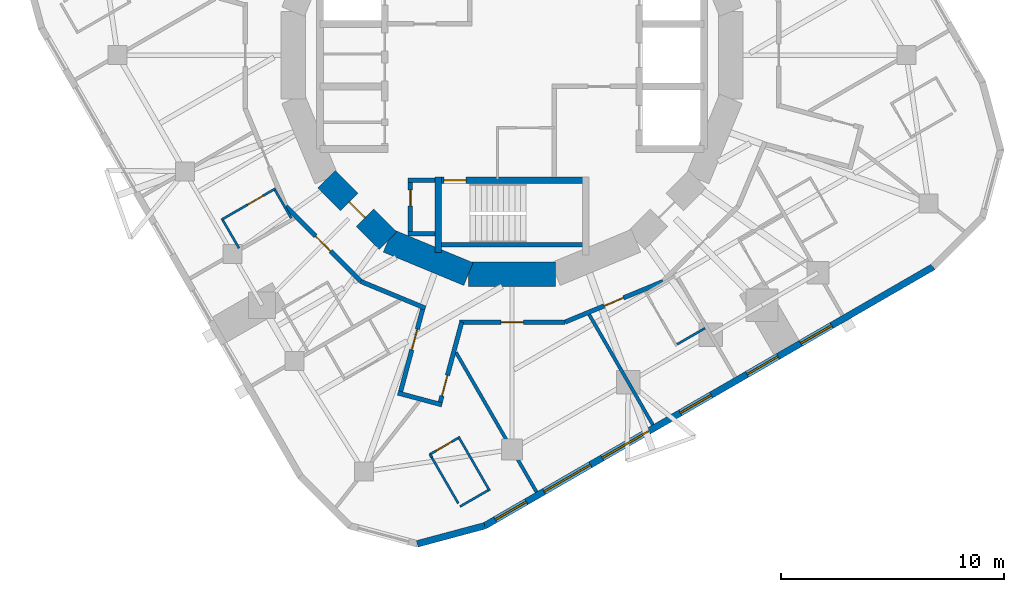
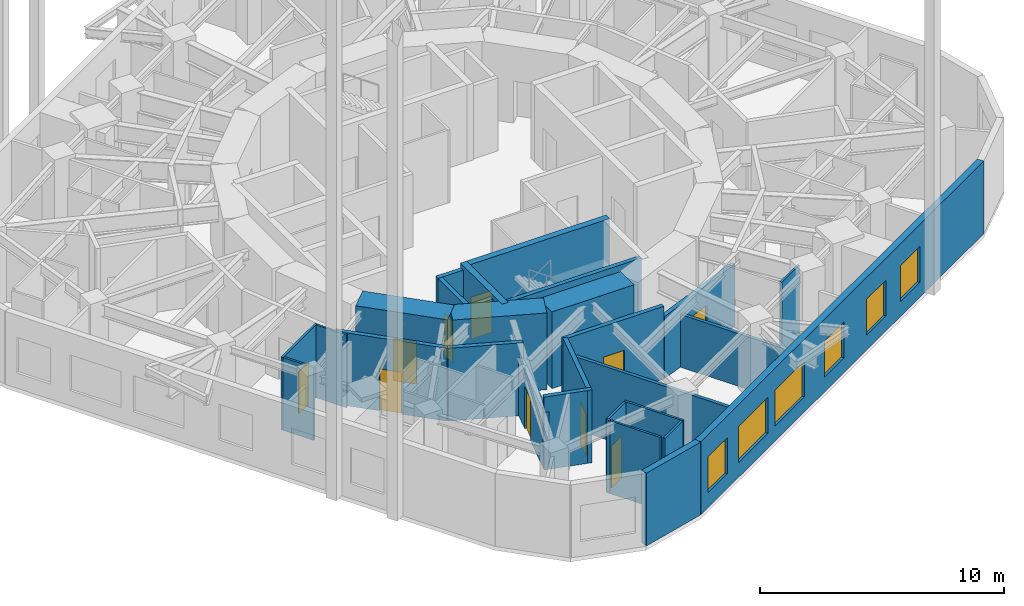
# One storey, part 4 of 10: 29 walls, 10 doors, 6 windows, 16 openings.
"""IFC4 building model written with IfcOpenShell, lengths in metres."""

from ifc_helpers import new_model, si_unit, direction, frame, frame_2d, origin, place, context, subcontext, project, spatial, rectangle, extrude, material, layer, layer_set, type_object, element, fill, save


model = new_model("IFC4")

# Units and contexts
model_context = context("Model", 3, precision=1e-05, world=origin(), true_north=direction((0.0, 1.0)))
body_context = subcontext(model_context, "Body", "Model", "MODEL_VIEW")
ifc_project = project(units=[si_unit("LENGTHUNIT", "METRE"), si_unit("AREAUNIT", "SQUARE_METRE"), si_unit("VOLUMEUNIT", "CUBIC_METRE"), si_unit("PLANEANGLEUNIT", "RADIAN"), si_unit("MASSUNIT", "GRAM", prefix="KILO")], contexts=[model_context])

# Site, building, storey
site_placement = place(None, origin())
site = spatial("IfcSite", under=ifc_project, at=site_placement, CompositionType="ELEMENT")
building_placement = place(site_placement, origin())
building = spatial("IfcBuilding", under=site, at=building_placement, Name="Nakasero Lantern House", CompositionType="ELEMENT")
storey_placement = place(building_placement, frame((0.0, 0.0, 223.10009765625)))
storey = spatial("IfcBuildingStorey", under=building, at=storey_placement, Name="L54", CompositionType="ELEMENT", Elevation=223.10009765625)

# Wall, opening, door
ifc_material_1 = material(Name="Concrete C50/60", Category="concrete")
ifc_layer_1 = layer(ifc_material_1, 0.300048828125)
ifc_layer_set_1 = layer_set([ifc_layer_1], Name="Core inner wall 300")
wall_type_1 = type_object("IfcWallType", Name="Core inner wall 300", PredefinedType="SHEAR", material=ifc_layer_set_1)
wall_1_placement = place(storey_placement, frame((-3.449951171875, -5.60009765625, 0.0), z_axis=(0.0, 0.0, 1.0), x_axis=(1.0, 0.0, 0.0)))
wall_1 = element("IfcWall", 1, at=wall_1_placement, inside=storey, type_object=wall_type_1, Name="Core inner wall L54 SS", PredefinedType="SHEAR", context=body_context, shape_type="SweptSolid", body=[
    extrude(rectangle(XDim=6.89990234375, YDim=0.300048828125, at=frame_2d((3.449951171875, 0.0))), origin(), (0.0, 0.0, 1.0), 3.849853515625),
])
opening_1_placement = place(wall_1_placement, frame((0.39990234375, 0.0, 0.0)))
opening_1 = element("IfcOpeningElement", 2, at=opening_1_placement, cuts=wall_1, Name="Opening D05", PredefinedType="OPENING", context=body_context, shape_type="SweptSolid", body=[
    extrude(rectangle(XDim=1.0, YDim=2.10009765625, at=frame_2d((0.5, 1.050048828125))), frame((0.0, 0.169921875, 0.0), z_axis=(0.0, -1.0, 0.0), x_axis=(1.0, 0.0, 0.0)), (0.0, 0.0, 1.0), 0.340087890625),
])
ifc_material_2 = material(Name="Timber C24", Category="wood")
door_type_1 = type_object("IfcDoorType", Name="Core door FD60S 1000", OperationType="SINGLE_SWING_LEFT", PredefinedType="DOOR", material=ifc_material_2)
door_1_placement = place(opening_1_placement, origin())
door_1 = element("IfcDoor", 3, at=door_1_placement, inside=storey, type_object=door_type_1, Name="Door L54 D-ST2", OperationType="SINGLE_SWING_LEFT", OverallHeight=2.10009765625, OverallWidth=1.0, PredefinedType="DOOR", context=body_context, shape_type="SweptSolid", body=[
    extrude(rectangle(XDim=1.0, YDim=2.10009765625, at=frame_2d((0.5, 1.050048828125))), frame((0.0, 0.02490234375, 0.0), z_axis=(0.0, -1.0, 0.0), x_axis=(1.0, 0.0, 0.0)), (0.0, 0.0, 1.0), 0.050048828125),
])
fill(opening_1, door_1)

# Wall
wall_2_placement = place(storey_placement, frame((-3.300048828125, -5.449951171875, 0.0), z_axis=(0.0, 0.0, 1.0), x_axis=(0.0, -1.0, 0.0)))
element("IfcWall", 4, at=wall_2_placement, inside=storey, type_object=wall_type_1, Name="Core inner wall L54 SSW", PredefinedType="SHEAR", context=body_context, shape_type="SweptSolid", body=[
    extrude(rectangle(XDim=3.400146484375, YDim=0.300048828125, at=frame_2d((1.7001953125, 0.0))), origin(), (0.0, 0.0, 1.0), 3.849853515625),
])

# Wall, opening, door
ifc_material_3 = material(Name="Concrete C50/60", Category="concrete")
ifc_layer_2 = layer(ifc_material_3, 1.10009765625)
ifc_layer_set_2 = layer_set([ifc_layer_2], Name="Core wall 1100")
wall_type_2 = type_object("IfcWallType", Name="Core wall 1100", PredefinedType="SHEAR", material=ifc_layer_set_2)
wall_3_placement = place(storey_placement, frame((-8.314697265625, -5.5556640625, 0.0), z_axis=(0.0, 0.0, 1.0), x_axis=(0.707106781187, -0.707106781187, 0.0)))
wall_3 = element("IfcWall", 5, at=wall_3_placement, inside=storey, type_object=wall_type_2, Name="Core wall L54 facet 10", PredefinedType="SHEAR", context=body_context, shape_type="SweptSolid", body=[
    extrude(rectangle(XDim=3.90185546875, YDim=1.10009765625, at=frame_2d((1.950927734375, 0.0))), origin(), (0.0, 0.0, 1.0), 3.849853515625),
])
opening_2_placement = place(wall_3_placement, frame((1.450927734375, 0.0, 0.0)))
opening_2 = element("IfcOpeningElement", 6, at=opening_2_placement, cuts=wall_3, Name="Opening D05", PredefinedType="OPENING", context=body_context, shape_type="SweptSolid", body=[
    extrude(rectangle(XDim=1.0, YDim=2.10009765625, at=frame_2d((0.5, 1.050048828125))), frame((0.0, 0.570068359375, 0.0), z_axis=(0.0, -1.0, 0.0), x_axis=(1.0, 0.0, 0.0)), (0.0, 0.0, 1.0), 1.14013671875),
])
door_2_placement = place(opening_2_placement, origin())
door_2 = element("IfcDoor", 7, at=door_2_placement, inside=storey, type_object=door_type_1, Name="Door L54 D-CORE10", OperationType="SINGLE_SWING_LEFT", OverallHeight=2.10009765625, OverallWidth=1.0, PredefinedType="DOOR", context=body_context, shape_type="SweptSolid", body=[
    extrude(rectangle(XDim=1.0, YDim=2.10009765625, at=frame_2d((0.5, 1.050048828125))), frame((0.0, 0.02490234375, 0.0), z_axis=(0.0, -1.0, 0.0), x_axis=(1.0, 0.0, 0.0)), (0.0, 0.0, 1.0), 0.050048828125),
])
fill(opening_2, door_2)

# Walls
for number, where, z_axis, x_axis, name in (
    (8, (-5.5556640625, -8.314697265625, 0.0), (0.0, 0.0, 1.0), (0.923876507187, -0.382690736062, 0.0), "Core wall L54 facet 11"),
    (9, (-1.950927734375, -9.807861328125, 0.0), (0.0, 0.0, 1.0), (1.0, 0.0, 0.0), "Core wall L54 facet 12"),
):
    element("IfcWall", number, at=place(storey_placement, frame(where, z_axis=z_axis, x_axis=x_axis)), inside=storey, type_object=wall_type_2, Name=name, PredefinedType="SHEAR", context=body_context, shape_type="SweptSolid", body=[
        extrude(rectangle(XDim=3.90185546875, YDim=1.10009765625, at=frame_2d((1.950927734375, 0.0))), origin(), (0.0, 0.0, 1.0), 3.849853515625),
    ])

# Wall, opening, door
ifc_material_4 = material(Name="Blockwork", Category="masonry")
ifc_layer_3 = layer(ifc_material_4, 0.199951171875)
ifc_layer_set_3 = layer_set([ifc_layer_3], Name="Corridor wall 200")
wall_type_3 = type_object("IfcWallType", Name="Corridor wall 200", PredefinedType="PARTITIONING", material=ifc_layer_set_3)
wall_4_placement = place(storey_placement, frame((6.773681640625, -10.137451171875, 0.0), z_axis=(0.0, 0.0, 1.0), x_axis=(-0.923891735412, -0.382653970627, 0.0)))
wall_4 = element("IfcWall", 10, at=wall_4_placement, inside=storey, type_object=wall_type_3, Name="Corridor wall L54 RC03a", PredefinedType="PARTITIONING", context=body_context, shape_type="SweptSolid", body=[
    extrude(rectangle(XDim=4.757080078125, YDim=0.199951171875, at=frame_2d((2.37841796875, 0.0))), origin(), (0.0, 0.0, 1.0), 3.11328125),
])
opening_3_placement = place(wall_4_placement, frame((1.919921875, 0.0, 0.0)))
opening_3 = element("IfcOpeningElement", 11, at=opening_3_placement, cuts=wall_4, Name="Opening D01", PredefinedType="OPENING", context=body_context, shape_type="SweptSolid", body=[
    extrude(rectangle(XDim=0.949951171875, YDim=2.10009765625, at=frame_2d((0.47509765625, 1.050048828125))), frame((0.0, 0.119873046875, 0.0), z_axis=(0.0, -1.0, 0.0), x_axis=(1.0, 0.0, 0.0)), (0.0, 0.0, 1.0), 0.239990234375),
])
ifc_material_5 = material(Name="Timber C24", Category="wood")
door_type_2 = type_object("IfcDoorType", Name="Bedroom door FD30S 950", OperationType="SINGLE_SWING_LEFT", PredefinedType="DOOR", material=ifc_material_5)
door_3_placement = place(opening_3_placement, origin())
door_3 = element("IfcDoor", 12, at=door_3_placement, inside=storey, type_object=door_type_2, Name="Door L54 D3-03", OperationType="SINGLE_SWING_RIGHT", OverallHeight=2.10009765625, OverallWidth=0.949951171875, PredefinedType="DOOR", context=body_context, shape_type="SweptSolid", body=[
    extrude(rectangle(XDim=0.949951171875, YDim=2.10009765625, at=frame_2d((0.47509765625, 1.050048828125))), frame((0.0, 0.02490234375, 0.0), z_axis=(0.0, -1.0, 0.0), x_axis=(1.0, 0.0, 0.0)), (0.0, 0.0, 1.0), 0.050048828125),
])
fill(opening_3, door_3)

wall_5_placement = place(storey_placement, frame((2.378662109375, -11.957763671875, 0.0), z_axis=(0.0, 0.0, 1.0), x_axis=(-1.0, 0.0, 0.0)))
wall_5 = element("IfcWall", 13, at=wall_5_placement, inside=storey, type_object=wall_type_3, Name="Corridor wall L54 RC04a", PredefinedType="PARTITIONING", context=body_context, shape_type="SweptSolid", body=[
    extrude(rectangle(XDim=4.73388671875, YDim=0.199951171875, at=frame_2d((2.366943359375, 0.0))), origin(), (0.0, 0.0, 1.0), 3.64990234375),
])
opening_4_placement = place(wall_5_placement, frame((1.8701171875, 0.0, 0.0)))
opening_4 = element("IfcOpeningElement", 14, at=opening_4_placement, cuts=wall_5, Name="Opening D03", PredefinedType="OPENING", context=body_context, shape_type="SweptSolid", body=[
    extrude(rectangle(XDim=1.0, YDim=2.10009765625, at=frame_2d((0.5, 1.050048828125))), frame((0.0, 0.119873046875, 0.0), z_axis=(0.0, -1.0, 0.0), x_axis=(1.0, 0.0, 0.0)), (0.0, 0.0, 1.0), 0.239990234375),
])
ifc_material_6 = material(Name="Timber C24", Category="wood")
door_type_3 = type_object("IfcDoorType", Name="Lounge door FD30S 1000", OperationType="SINGLE_SWING_LEFT", PredefinedType="DOOR", material=ifc_material_6)
door_4_placement = place(opening_4_placement, origin())
door_4 = element("IfcDoor", 15, at=door_4_placement, inside=storey, type_object=door_type_3, Name="Door L54 DK3", OperationType="SINGLE_SWING_RIGHT", OverallHeight=2.10009765625, OverallWidth=1.0, PredefinedType="DOOR", context=body_context, shape_type="SweptSolid", body=[
    extrude(rectangle(XDim=1.0, YDim=2.10009765625, at=frame_2d((0.5, 1.050048828125))), frame((0.0, 0.02490234375, 0.0), z_axis=(0.0, -1.0, 0.0), x_axis=(1.0, 0.0, 0.0)), (0.0, 0.0, 1.0), 0.050048828125),
])
fill(opening_4, door_4)

# Wall
wall_6_placement = place(storey_placement, frame((-3.8857421875, -11.33349609375, 0.0), z_axis=(0.0, 0.0, 1.0), x_axis=(-0.923899751118, 0.382634616682, 0.0)))
element("IfcWall", 16, at=wall_6_placement, inside=storey, type_object=wall_type_3, Name="Corridor wall L54 RC05a", PredefinedType="PARTITIONING", context=body_context, shape_type="SweptSolid", body=[
    extrude(rectangle(XDim=3.125732421875, YDim=0.199951171875, at=frame_2d((1.56298828125, 0.0))), origin(), (0.0, 0.0, 1.0), 3.64990234375),
])

# Wall, opening, door
wall_7_placement = place(storey_placement, frame((-6.773681640625, -10.137451171875, 0.0), z_axis=(0.0, 0.0, 1.0), x_axis=(-0.707106781187, 0.707106781187, 0.0)))
wall_7 = element("IfcWall", 17, at=wall_7_placement, inside=storey, type_object=wall_type_3, Name="Corridor wall L54 RC06a", PredefinedType="PARTITIONING", context=body_context, shape_type="SweptSolid", body=[
    extrude(rectangle(XDim=4.757080078125, YDim=0.199951171875, at=frame_2d((2.37841796875, 0.0))), origin(), (0.0, 0.0, 1.0), 3.64990234375),
])
opening_5_placement = place(wall_7_placement, frame((1.919921875, 0.0, 0.0)))
opening_5 = element("IfcOpeningElement", 18, at=opening_5_placement, cuts=wall_7, Name="Opening D01", PredefinedType="OPENING", context=body_context, shape_type="SweptSolid", body=[
    extrude(rectangle(XDim=0.949951171875, YDim=2.10009765625, at=frame_2d((0.47509765625, 1.050048828125))), frame((0.0, 0.119873046875, 0.0), z_axis=(0.0, -1.0, 0.0), x_axis=(1.0, 0.0, 0.0)), (0.0, 0.0, 1.0), 0.239990234375),
])
door_5_placement = place(opening_5_placement, origin())
door_5 = element("IfcDoor", 19, at=door_5_placement, inside=storey, type_object=door_type_2, Name="Door L54 D2-04", OperationType="SINGLE_SWING_RIGHT", OverallHeight=2.10009765625, OverallWidth=0.949951171875, PredefinedType="DOOR", context=body_context, shape_type="SweptSolid", body=[
    extrude(rectangle(XDim=0.949951171875, YDim=2.10009765625, at=frame_2d((0.47509765625, 1.050048828125))), frame((0.0, 0.02490234375, 0.0), z_axis=(0.0, -1.0, 0.0), x_axis=(1.0, 0.0, 0.0)), (0.0, 0.0, 1.0), 0.050048828125),
])
fill(opening_5, door_5)

wall_8_placement = place(storey_placement, frame((-3.97900390625, -11.294921875, 0.0), z_axis=(0.0, 0.0, 1.0), x_axis=(-0.258780689033, -0.965936102951, 0.0)))
wall_8 = element("IfcWall", 20, at=wall_8_placement, inside=storey, type_object=wall_type_3, Name="Corridor wall L54 SP2a", PredefinedType="PARTITIONING", context=body_context, shape_type="SweptSolid", body=[
    extrude(rectangle(XDim=4.10400390625, YDim=0.199951171875, at=frame_2d((2.052001953125, 0.0))), origin(), (0.0, 0.0, 1.0), 2.8876953125),
])
opening_6_placement = place(wall_8_placement, frame((1.02001953125, 0.0, 0.0)))
opening_6 = element("IfcOpeningElement", 21, at=opening_6_placement, cuts=wall_8, Name="Opening D01", PredefinedType="OPENING", context=body_context, shape_type="SweptSolid", body=[
    extrude(rectangle(XDim=0.949951171875, YDim=2.10009765625, at=frame_2d((0.47509765625, 1.050048828125))), frame((0.0, 0.119873046875, 0.0), z_axis=(0.0, -1.0, 0.0), x_axis=(1.0, 0.0, 0.0)), (0.0, 0.0, 1.0), 0.239990234375),
])
door_6_placement = place(opening_6_placement, origin())
door_6 = element("IfcDoor", 22, at=door_6_placement, inside=storey, type_object=door_type_2, Name="Door L54 D2-06", OperationType="SINGLE_SWING_LEFT", OverallHeight=2.10009765625, OverallWidth=0.949951171875, PredefinedType="DOOR", context=body_context, shape_type="SweptSolid", body=[
    extrude(rectangle(XDim=0.949951171875, YDim=2.10009765625, at=frame_2d((0.47509765625, 1.050048828125))), frame((0.0, 0.02490234375, 0.0), z_axis=(0.0, -1.0, 0.0), x_axis=(1.0, 0.0, 0.0)), (0.0, 0.0, 1.0), 0.050048828125),
])
fill(opening_6, door_6)

wall_9_placement = place(storey_placement, frame((-2.251708984375, -11.957763671875, 0.0), z_axis=(0.0, 0.0, 1.0), x_axis=(-0.258820334962, -0.965925480671, 0.0)))
wall_9 = element("IfcWall", 23, at=wall_9_placement, inside=storey, type_object=wall_type_3, Name="Corridor wall L54 SP2b", PredefinedType="PARTITIONING", context=body_context, shape_type="SweptSolid", body=[
    extrude(rectangle(XDim=3.910888671875, YDim=0.199951171875, at=frame_2d((1.95556640625, 0.0))), origin(), (0.0, 0.0, 1.0), 3.64990234375),
])
opening_7_placement = place(wall_9_placement, frame((2.469970703125, 0.0, 0.0)))
opening_7 = element("IfcOpeningElement", 24, at=opening_7_placement, cuts=wall_9, Name="Opening D01", PredefinedType="OPENING", context=body_context, shape_type="SweptSolid", body=[
    extrude(rectangle(XDim=0.949951171875, YDim=2.10009765625, at=frame_2d((0.47509765625, 1.050048828125))), frame((0.0, 0.119873046875, 0.0), z_axis=(0.0, -1.0, 0.0), x_axis=(1.0, 0.0, 0.0)), (0.0, 0.0, 1.0), 0.239990234375),
])
door_7_placement = place(opening_7_placement, origin())
door_7 = element("IfcDoor", 25, at=door_7_placement, inside=storey, type_object=door_type_2, Name="Door L54 D3-00", OperationType="SINGLE_SWING_RIGHT", OverallHeight=2.10009765625, OverallWidth=0.949951171875, PredefinedType="DOOR", context=body_context, shape_type="SweptSolid", body=[
    extrude(rectangle(XDim=0.949951171875, YDim=2.10009765625, at=frame_2d((0.47509765625, 1.050048828125))), frame((0.0, 0.02490234375, 0.0), z_axis=(0.0, -1.0, 0.0), x_axis=(1.0, 0.0, 0.0)), (0.0, 0.0, 1.0), 0.050048828125),
])
fill(opening_7, door_7)

# Wall
wall_10_placement = place(storey_placement, frame((-5.11181640625, -15.136474609375, 0.0), z_axis=(0.0, 0.0, 1.0), x_axis=(0.965914394147, -0.258861706671, 0.0)))
element("IfcWall", 26, at=wall_10_placement, inside=storey, type_object=wall_type_3, Name="Corridor wall L54 SP2e", PredefinedType="PARTITIONING", context=body_context, shape_type="SweptSolid", body=[
    extrude(rectangle(XDim=2.0400390625, YDim=0.199951171875, at=frame_2d((1.02001953125, 0.0))), origin(), (0.0, 0.0, 1.0), 3.64990234375),
])

# Wall, opening, door
ifc_material_7 = material(Name="Blockwork", Category="masonry")
ifc_layer_4 = layer(ifc_material_7, 0.10009765625)
ifc_layer_set_4 = layer_set([ifc_layer_4], Name="En-suite wall 100")
wall_type_4 = type_object("IfcWallType", Name="En-suite wall 100", PredefinedType="PARTITIONING", material=ifc_layer_set_4)
wall_11_placement = place(storey_placement, frame((-10.599609375, -5.976318359375, 0.0), z_axis=(0.0, 0.0, 1.0), x_axis=(-0.865996816683, -0.500049511043, 0.0)))
wall_11 = element("IfcWall", 27, at=wall_11_placement, inside=storey, type_object=wall_type_4, Name="En-suite wall L54 ES2-03", PredefinedType="PARTITIONING", context=body_context, shape_type="SweptSolid", body=[
    extrude(rectangle(XDim=2.800048828125, YDim=0.10009765625, at=frame_2d((1.39990234375, 0.0))), origin(), (0.0, 0.0, 1.0), 3.64990234375),
])
opening_8_placement = place(wall_11_placement, frame((0.64990234375, 0.0, 0.0)))
opening_8 = element("IfcOpeningElement", 28, at=opening_8_placement, cuts=wall_11, Name="Opening D02", PredefinedType="OPENING", context=body_context, shape_type="SweptSolid", body=[
    extrude(rectangle(XDim=0.800048828125, YDim=2.10009765625, at=frame_2d((0.39990234375, 1.050048828125))), frame((0.0, 0.070068359375, 0.0), z_axis=(0.0, -1.0, 0.0), x_axis=(1.0, 0.0, 0.0)), (0.0, 0.0, 1.0), 0.14013671875),
])
ifc_material_8 = material(Name="Timber C24", Category="wood")
door_type_4 = type_object("IfcDoorType", Name="En-suite door 800", OperationType="SINGLE_SWING_RIGHT", PredefinedType="DOOR", material=ifc_material_8)
door_8_placement = place(opening_8_placement, origin())
door_8 = element("IfcDoor", 29, at=door_8_placement, inside=storey, type_object=door_type_4, Name="Door L54 DE2-03", OperationType="SINGLE_SWING_LEFT", OverallHeight=2.10009765625, OverallWidth=0.800048828125, PredefinedType="DOOR", context=body_context, shape_type="SweptSolid", body=[
    extrude(rectangle(XDim=0.800048828125, YDim=2.10009765625, at=frame_2d((0.39990234375, 1.050048828125))), frame((0.0, 0.02490234375, 0.0), z_axis=(0.0, -1.0, 0.0), x_axis=(1.0, 0.0, 0.0)), (0.0, 0.0, 1.0), 0.050048828125),
])
fill(opening_8, door_8)

# Walls
for number, where, z_axis, x_axis, name in (
    (30, (-12.956298828125, -7.394775390625, 0.0), (0.0, 0.0, 1.0), (0.500086826395, -0.865975268738, 0.0), "En-suite wall L54 EE2-03"),
    (31, (-10.617919921875, -6.044677734375, 0.0), (0.0, 0.0, 1.0), (0.499887636653, -0.866090267075, 0.0), "En-suite wall L54 EI2-03"),
):
    element("IfcWall", number, at=place(storey_placement, frame(where, z_axis=z_axis, x_axis=x_axis)), inside=storey, type_object=wall_type_4, Name=name, PredefinedType="PARTITIONING", context=body_context, shape_type="SweptSolid", body=[
        extrude(rectangle(XDim=1.449951171875, YDim=0.10009765625, at=frame_2d((0.72509765625, 0.0))), origin(), (0.0, 0.0, 1.0), 3.64990234375),
    ])
wall_12_placement = place(storey_placement, frame((-2.401611328125, -17.09033203125, 0.0), z_axis=(0.0, 0.0, 1.0), x_axis=(0.500011755427, -0.866018616679, 0.0)))
element("IfcWall", 32, at=wall_12_placement, inside=storey, type_object=wall_type_4, Name="En-suite wall L54 ES3-00", PredefinedType="PARTITIONING", context=body_context, shape_type="SweptSolid", body=[
    extrude(rectangle(XDim=2.80029296875, YDim=0.10009765625, at=frame_2d((1.400146484375, 0.0))), origin(), (0.0, 0.0, 1.0), 3.64990234375),
])
wall_13_placement = place(storey_placement, frame((-2.325439453125, -20.221923828125, 0.0), z_axis=(0.0, 0.0, 1.0), x_axis=(0.86604818453, 0.499960540515, 0.0)))
element("IfcWall", 33, at=wall_13_placement, inside=storey, type_object=wall_type_4, Name="En-suite wall L54 EE3-00", PredefinedType="PARTITIONING", context=body_context, shape_type="SweptSolid", body=[
    extrude(rectangle(XDim=1.44970703125, YDim=0.10009765625, at=frame_2d((0.724853515625, 0.0))), origin(), (0.0, 0.0, 1.0), 3.64990234375),
])

# Wall, opening, door
wall_14_placement = place(storey_placement, frame((-3.675537109375, -17.8837890625, 0.0), z_axis=(0.0, 0.0, 1.0), x_axis=(0.865975268738, 0.500086826395, 0.0)))
wall_14 = element("IfcWall", 34, at=wall_14_placement, inside=storey, type_object=wall_type_4, Name="En-suite wall L54 EI3-00", PredefinedType="PARTITIONING", context=body_context, shape_type="SweptSolid", body=[
    extrude(rectangle(XDim=1.449951171875, YDim=0.10009765625, at=frame_2d((0.72509765625, 0.0))), origin(), (0.0, 0.0, 1.0), 3.64990234375),
])
opening_9_placement = place(wall_14_placement, frame((0.324951171875, 0.0, 0.0)))
opening_9 = element("IfcOpeningElement", 35, at=opening_9_placement, cuts=wall_14, Name="Opening D02", PredefinedType="OPENING", context=body_context, shape_type="SweptSolid", body=[
    extrude(rectangle(XDim=0.800048828125, YDim=2.10009765625, at=frame_2d((0.39990234375, 1.050048828125))), frame((0.0, 0.070068359375, 0.0), z_axis=(0.0, -1.0, 0.0), x_axis=(1.0, 0.0, 0.0)), (0.0, 0.0, 1.0), 0.14013671875),
])
door_9_placement = place(opening_9_placement, origin())
door_9 = element("IfcDoor", 36, at=door_9_placement, inside=storey, type_object=door_type_4, Name="Door L54 DE3-00", OperationType="SINGLE_SWING_LEFT", OverallHeight=2.10009765625, OverallWidth=0.800048828125, PredefinedType="DOOR", context=body_context, shape_type="SweptSolid", body=[
    extrude(rectangle(XDim=0.800048828125, YDim=2.10009765625, at=frame_2d((0.39990234375, 1.050048828125))), frame((0.0, 0.02490234375, 0.0), z_axis=(0.0, -1.0, 0.0), x_axis=(1.0, 0.0, 0.0)), (0.0, 0.0, 1.0), 0.050048828125),
])
fill(opening_9, door_9)

# Walls
wall_15_placement = place(storey_placement, frame((7.394775390625, -12.956298828125, 0.0), z_axis=(0.0, 0.0, 1.0), x_axis=(0.865975268738, 0.500086826395, 0.0)))
element("IfcWall", 37, at=wall_15_placement, inside=storey, type_object=wall_type_4, Name="En-suite wall L54 EE3-03", PredefinedType="PARTITIONING", context=body_context, shape_type="SweptSolid", body=[
    extrude(rectangle(XDim=1.449951171875, YDim=0.10009765625, at=frame_2d((0.72509765625, 0.0))), origin(), (0.0, 0.0, 1.0), 3.64990234375),
])
wall_16_placement = place(storey_placement, frame((-3.595458984375, -18.022216796875, 0.0), z_axis=(0.0, 0.0, 1.0), x_axis=(0.499956277081, -0.866050645752, 0.0)))
element("IfcWall", 38, at=wall_16_placement, inside=storey, type_object=wall_type_4, Name="En-suite wall L54 EX003", PredefinedType="PARTITIONING", context=body_context, shape_type="SweptSolid", body=[
    extrude(rectangle(XDim=2.380126953125, YDim=0.10009765625, at=frame_2d((1.18994140625, 0.0))), origin(), (0.0, 0.0, 1.0), 3.64990234375),
])
wall_17_placement = place(storey_placement, frame((-3.675537109375, -17.8837890625, 0.0), z_axis=(0.0, 0.0, 1.0), x_axis=(0.500735348028, -0.865600433939, 0.0)))
element("IfcWall", 39, at=wall_17_placement, inside=storey, type_object=wall_type_4, Name="En-suite wall L54 EI3-00R0", PredefinedType="PARTITIONING", context=body_context, shape_type="SweptSolid", body=[
    extrude(rectangle(XDim=0.159912109375, YDim=0.10009765625, at=frame_2d((0.080078125, 0.0))), origin(), (0.0, 0.0, 1.0), 3.64990234375),
])
ifc_material_9 = material(Name="Aluminium rainscreen on blockwork", Category="masonry")
ifc_layer_5 = layer(ifc_material_9, 0.300048828125)
ifc_layer_set_5 = layer_set([ifc_layer_5], Name="Facade wall 300")
wall_type_5 = type_object("IfcWallType", Name="Facade wall 300", PredefinedType="SOLIDWALL", material=ifc_layer_set_5)
wall_18_placement = place(storey_placement, frame((-4.245849609375, -21.89599609375, 0.0), z_axis=(0.0, 0.0, 1.0), x_axis=(0.96592369199, 0.258827010283, 0.0)))
element("IfcWall", 40, at=wall_18_placement, inside=storey, type_object=wall_type_5, Name="Facade wall L54 FW2C3", PredefinedType="SOLIDWALL", context=body_context, shape_type="SweptSolid", body=[
    extrude(rectangle(XDim=3.131591796875, YDim=0.300048828125, at=frame_2d((1.56591796875, 0.0))), origin(), (0.0, 0.0, 1.0), 3.64990234375),
])

# Wall, openings, windows
wall_19_placement = place(storey_placement, frame((-1.220947265625, -21.08544921875, 0.0), z_axis=(0.0, 0.0, 1.0), x_axis=(0.86602366199, 0.500003016864, 0.0)))
wall_19 = element("IfcWall", 41, at=wall_19_placement, inside=storey, type_object=wall_type_5, Name="Facade wall L54 FW3S", PredefinedType="SOLIDWALL", context=body_context, shape_type="SweptSolid", body=[
    extrude(rectangle(XDim=23.199951171875, YDim=0.300048828125, at=frame_2d((11.60009765625, 0.0))), origin(), (0.0, 0.0, 1.0), 3.64990234375),
])
opening_10_placement = place(wall_19_placement, frame((0.5458984375, 0.0, 0.75)))
opening_10 = element("IfcOpeningElement", 42, at=opening_10_placement, cuts=wall_19, Name="Opening W01", PredefinedType="OPENING", context=body_context, shape_type="SweptSolid", body=[
    extrude(rectangle(XDim=1.60009765625, YDim=1.800048828125, at=frame_2d((0.800048828125, 0.89990234375))), frame((0.0, 0.169921875, 0.0), z_axis=(0.0, -1.0, 0.0), x_axis=(1.0, 0.0, 0.0)), (0.0, 0.0, 1.0), 0.340087890625),
])
opening_11_placement = place(wall_19_placement, frame((10.11767578125, 0.0, 0.75)))
opening_11 = element("IfcOpeningElement", 43, at=opening_11_placement, cuts=wall_19, Name="Opening W01", PredefinedType="OPENING", context=body_context, shape_type="SweptSolid", body=[
    extrude(rectangle(XDim=1.60009765625, YDim=1.800048828125, at=frame_2d((0.800048828125, 0.89990234375))), frame((0.0, 0.169921875, 0.0), z_axis=(0.0, -1.0, 0.0), x_axis=(1.0, 0.0, 0.0)), (0.0, 0.0, 1.0), 0.340087890625),
])
opening_12_placement = place(wall_19_placement, frame((13.5751953125, 0.0, 0.75)))
opening_12 = element("IfcOpeningElement", 44, at=opening_12_placement, cuts=wall_19, Name="Opening W01", PredefinedType="OPENING", context=body_context, shape_type="SweptSolid", body=[
    extrude(rectangle(XDim=1.60009765625, YDim=1.800048828125, at=frame_2d((0.800048828125, 0.89990234375))), frame((0.0, 0.169921875, 0.0), z_axis=(0.0, -1.0, 0.0), x_axis=(1.0, 0.0, 0.0)), (0.0, 0.0, 1.0), 0.340087890625),
])
opening_13_placement = place(wall_19_placement, frame((16.349609375, 0.0, 0.75)))
opening_13 = element("IfcOpeningElement", 45, at=opening_13_placement, cuts=wall_19, Name="Opening W01", PredefinedType="OPENING", context=body_context, shape_type="SweptSolid", body=[
    extrude(rectangle(XDim=1.60009765625, YDim=1.800048828125, at=frame_2d((0.800048828125, 0.89990234375))), frame((0.0, 0.169921875, 0.0), z_axis=(0.0, -1.0, 0.0), x_axis=(1.0, 0.0, 0.0)), (0.0, 0.0, 1.0), 0.340087890625),
])
opening_14_placement = place(wall_19_placement, frame((3.071044921875, 0.0, 0.75)))
opening_14 = element("IfcOpeningElement", 46, at=opening_14_placement, cuts=wall_19, Name="Opening W03", PredefinedType="OPENING", context=body_context, shape_type="SweptSolid", body=[
    extrude(rectangle(XDim=2.39990234375, YDim=1.800048828125, at=frame_2d((1.199951171875, 0.89990234375))), frame((0.0, 0.169921875, 0.0), z_axis=(0.0, -1.0, 0.0), x_axis=(1.0, 0.0, 0.0)), (0.0, 0.0, 1.0), 0.340087890625),
])
opening_15_placement = place(wall_19_placement, frame((6.080078125, 0.0, 0.75)))
opening_15 = element("IfcOpeningElement", 47, at=opening_15_placement, cuts=wall_19, Name="Opening W03", PredefinedType="OPENING", context=body_context, shape_type="SweptSolid", body=[
    extrude(rectangle(XDim=2.39990234375, YDim=1.800048828125, at=frame_2d((1.199951171875, 0.89990234375))), frame((0.0, 0.169921875, 0.0), z_axis=(0.0, -1.0, 0.0), x_axis=(1.0, 0.0, 0.0)), (0.0, 0.0, 1.0), 0.340087890625),
])
ifc_material_10 = material(Name="Aluminium 6063-T6 and glass", Category="aluminium")
window_type_1 = type_object("IfcWindowType", Name="Bedroom window 1600x1800", PartitioningType="SINGLE_PANEL", PredefinedType="WINDOW", material=ifc_material_10)
window_1_placement = place(opening_10_placement, origin())
window_1 = element("IfcWindow", 48, at=window_1_placement, inside=storey, type_object=window_type_1, Name="Window L54 WN3-00", OverallHeight=1.800048828125, OverallWidth=1.60009765625, PartitioningType="SINGLE_PANEL", PredefinedType="WINDOW", context=body_context, shape_type="SweptSolid", body=[
    extrude(rectangle(XDim=1.60009765625, YDim=1.800048828125, at=frame_2d((0.800048828125, 0.89990234375))), frame((0.0, 0.030029296875, 0.0), z_axis=(0.0, -1.0, 0.0), x_axis=(1.0, 0.0, 0.0)), (0.0, 0.0, 1.0), 0.06005859375),
])
fill(opening_10, window_1)
window_2_placement = place(opening_11_placement, origin())
window_2 = element("IfcWindow", 49, at=window_2_placement, inside=storey, type_object=window_type_1, Name="Window L54 WN3-03", OverallHeight=1.800048828125, OverallWidth=1.60009765625, PartitioningType="SINGLE_PANEL", PredefinedType="WINDOW", context=body_context, shape_type="SweptSolid", body=[
    extrude(rectangle(XDim=1.60009765625, YDim=1.800048828125, at=frame_2d((0.800048828125, 0.89990234375))), frame((0.0, 0.030029296875, 0.0), z_axis=(0.0, -1.0, 0.0), x_axis=(1.0, 0.0, 0.0)), (0.0, 0.0, 1.0), 0.06005859375),
])
fill(opening_11, window_2)
window_3_placement = place(opening_12_placement, origin())
window_3 = element("IfcWindow", 50, at=window_3_placement, inside=storey, type_object=window_type_1, Name="Window L54 WN3-04", OverallHeight=1.800048828125, OverallWidth=1.60009765625, PartitioningType="SINGLE_PANEL", PredefinedType="WINDOW", context=body_context, shape_type="SweptSolid", body=[
    extrude(rectangle(XDim=1.60009765625, YDim=1.800048828125, at=frame_2d((0.800048828125, 0.89990234375))), frame((0.0, 0.030029296875, 0.0), z_axis=(0.0, -1.0, 0.0), x_axis=(1.0, 0.0, 0.0)), (0.0, 0.0, 1.0), 0.06005859375),
])
fill(opening_12, window_3)
window_4_placement = place(opening_13_placement, origin())
window_4 = element("IfcWindow", 51, at=window_4_placement, inside=storey, type_object=window_type_1, Name="Window L54 WN3-05", OverallHeight=1.800048828125, OverallWidth=1.60009765625, PartitioningType="SINGLE_PANEL", PredefinedType="WINDOW", context=body_context, shape_type="SweptSolid", body=[
    extrude(rectangle(XDim=1.60009765625, YDim=1.800048828125, at=frame_2d((0.800048828125, 0.89990234375))), frame((0.0, 0.030029296875, 0.0), z_axis=(0.0, -1.0, 0.0), x_axis=(1.0, 0.0, 0.0)), (0.0, 0.0, 1.0), 0.06005859375),
])
fill(opening_13, window_4)
ifc_material_11 = material(Name="Aluminium 6063-T6 and glass", Category="aluminium")
window_type_2 = type_object("IfcWindowType", Name="Lounge window 2400x1800", PartitioningType="SINGLE_PANEL", PredefinedType="WINDOW", material=ifc_material_11)
window_5_placement = place(opening_14_placement, origin())
window_5 = element("IfcWindow", 52, at=window_5_placement, inside=storey, type_object=window_type_2, Name="Window L54 WK3", OverallHeight=1.800048828125, OverallWidth=2.39990234375, PartitioningType="SINGLE_PANEL", PredefinedType="WINDOW", context=body_context, shape_type="SweptSolid", body=[
    extrude(rectangle(XDim=2.39990234375, YDim=1.800048828125, at=frame_2d((1.199951171875, 0.89990234375))), frame((0.0, 0.030029296875, 0.0), z_axis=(0.0, -1.0, 0.0), x_axis=(1.0, 0.0, 0.0)), (0.0, 0.0, 1.0), 0.06005859375),
])
fill(opening_14, window_5)
window_6_placement = place(opening_15_placement, origin())
window_6 = element("IfcWindow", 53, at=window_6_placement, inside=storey, type_object=window_type_2, Name="Window L54 WL3", OverallHeight=1.800048828125, OverallWidth=2.39990234375, PartitioningType="SINGLE_PANEL", PredefinedType="WINDOW", context=body_context, shape_type="SweptSolid", body=[
    extrude(rectangle(XDim=2.39990234375, YDim=1.800048828125, at=frame_2d((1.199951171875, 0.89990234375))), frame((0.0, 0.030029296875, 0.0), z_axis=(0.0, -1.0, 0.0), x_axis=(1.0, 0.0, 0.0)), (0.0, 0.0, 1.0), 0.06005859375),
])
fill(opening_15, window_6)

# Wall, opening, door
ifc_material_12 = material(Name="Blockwork", Category="masonry")
ifc_layer_6 = layer(ifc_material_12, 0.199951171875)
ifc_layer_set_6 = layer_set([ifc_layer_6], Name="Fire lobby wall 200")
wall_type_6 = type_object("IfcWallType", Name="Fire lobby wall 200", PredefinedType="PARTITIONING", material=ifc_layer_set_6)
wall_20_placement = place(storey_placement, frame((-4.550048828125, -5.60009765625, 0.0), z_axis=(0.0, 0.0, 1.0), x_axis=(0.0, -1.0, 0.0)))
wall_20 = element("IfcWall", 54, at=wall_20_placement, inside=storey, type_object=wall_type_6, Name="Fire lobby wall L54 W-RS2W", PredefinedType="PARTITIONING", context=body_context, shape_type="SweptSolid", body=[
    extrude(rectangle(XDim=2.39990234375, YDim=0.199951171875, at=frame_2d((1.199951171875, 0.0))), origin(), (0.0, 0.0, 1.0), 3.64990234375),
])
opening_16_placement = place(wall_20_placement, frame((0.449951171875, 0.0, 0.0)))
opening_16 = element("IfcOpeningElement", 55, at=opening_16_placement, cuts=wall_20, Name="Opening D06", PredefinedType="OPENING", context=body_context, shape_type="SweptSolid", body=[
    extrude(rectangle(XDim=0.699951171875, YDim=2.10009765625, at=frame_2d((0.35009765625, 1.050048828125))), frame((0.0, 0.119873046875, 0.0), z_axis=(0.0, -1.0, 0.0), x_axis=(1.0, 0.0, 0.0)), (0.0, 0.0, 1.0), 0.239990234375),
])
ifc_material_13 = material(Name="Steel S355", Category="steel")
door_type_5 = type_object("IfcDoorType", Name="Riser door FD60 700", OperationType="SINGLE_SWING_LEFT", PredefinedType="DOOR", material=ifc_material_13)
door_10_placement = place(opening_16_placement, origin())
door_10 = element("IfcDoor", 56, at=door_10_placement, inside=storey, type_object=door_type_5, Name="Door L54 D-RS2", OperationType="SINGLE_SWING_LEFT", OverallHeight=2.10009765625, OverallWidth=0.699951171875, PredefinedType="DOOR", context=body_context, shape_type="SweptSolid", body=[
    extrude(rectangle(XDim=0.699951171875, YDim=2.10009765625, at=frame_2d((0.35009765625, 1.050048828125))), frame((0.0, 0.02490234375, 0.0), z_axis=(0.0, -1.0, 0.0), x_axis=(1.0, 0.0, 0.0)), (0.0, 0.0, 1.0), 0.050048828125),
])
fill(opening_16, door_10)

# Walls
for number, where, z_axis, x_axis, name in (
    (57, (-3.449951171875, -8.0, 0.0), (0.0, 0.0, 1.0), (-1.0, 0.0, 0.0), "Fire lobby wall L54 W-RS2S"),
    (58, (-3.449951171875, -5.60009765625, 0.0), (0.0, 0.0, 1.0), (-1.0, 0.0, 0.0), "Fire lobby wall L54 W-RS2N"),
):
    element("IfcWall", number, at=place(storey_placement, frame(where, z_axis=z_axis, x_axis=x_axis)), inside=storey, type_object=wall_type_6, Name=name, PredefinedType="PARTITIONING", context=body_context, shape_type="SweptSolid", body=[
        extrude(rectangle(XDim=1.199951171875, YDim=0.199951171875, at=frame_2d((0.60009765625, 0.0))), origin(), (0.0, 0.0, 1.0), 3.64990234375),
    ])
wall_21_placement = place(storey_placement, frame((-3.300048828125, -8.5, 0.0), z_axis=(0.0, 0.0, 1.0), x_axis=(1.0, 0.0, 0.0)))
element("IfcWall", 59, at=wall_21_placement, inside=storey, type_object=wall_type_6, Name="Fire lobby wall L54 W-STS", PredefinedType="PARTITIONING", context=body_context, shape_type="SweptSolid", body=[
    extrude(rectangle(XDim=6.60009765625, YDim=0.199951171875, at=frame_2d((3.300048828125, 0.0))), origin(), (0.0, 0.0, 1.0), 3.64990234375),
])
ifc_material_14 = material(Name="Blockwork", Category="masonry")
ifc_layer_7 = layer(ifc_material_14, 0.14990234375)
ifc_layer_set_7 = layer_set([ifc_layer_7], Name="Party wall 150")
wall_type_7 = type_object("IfcWallType", Name="Party wall 150", PredefinedType="PARTITIONING", material=ifc_layer_set_7)
wall_22_placement = place(storey_placement, frame((-2.511962890625, -13.31591796875, 0.0), z_axis=(0.0, 0.0, 1.0), x_axis=(0.499995488419, -0.866028008531, 0.0)))
element("IfcWall", 60, at=wall_22_placement, inside=storey, type_object=wall_type_7, Name="Party wall L54 PW3-01", PredefinedType="PARTITIONING", context=body_context, shape_type="SweptSolid", body=[
    extrude(rectangle(XDim=7.22412109375, YDim=0.14990234375, at=frame_2d((3.612060546875, 0.0))), origin(), (0.0, 0.0, 1.0), 3.64990234375),
])
wall_23_placement = place(storey_placement, frame((3.457275390625, -11.619140625, 0.0), z_axis=(0.0, 0.0, 1.0), x_axis=(0.500002556202, -0.866023927955, 0.0)))
element("IfcWall", 61, at=wall_23_placement, inside=storey, type_object=wall_type_7, Name="Party wall L54 PW3-03", PredefinedType="PARTITIONING", context=body_context, shape_type="SweptSolid", body=[
    extrude(rectangle(XDim=5.708984375, YDim=0.14990234375, at=frame_2d((2.8544921875, 0.0))), origin(), (0.0, 0.0, 1.0), 2.641845703125),
])

save(model, "model.ifc")
